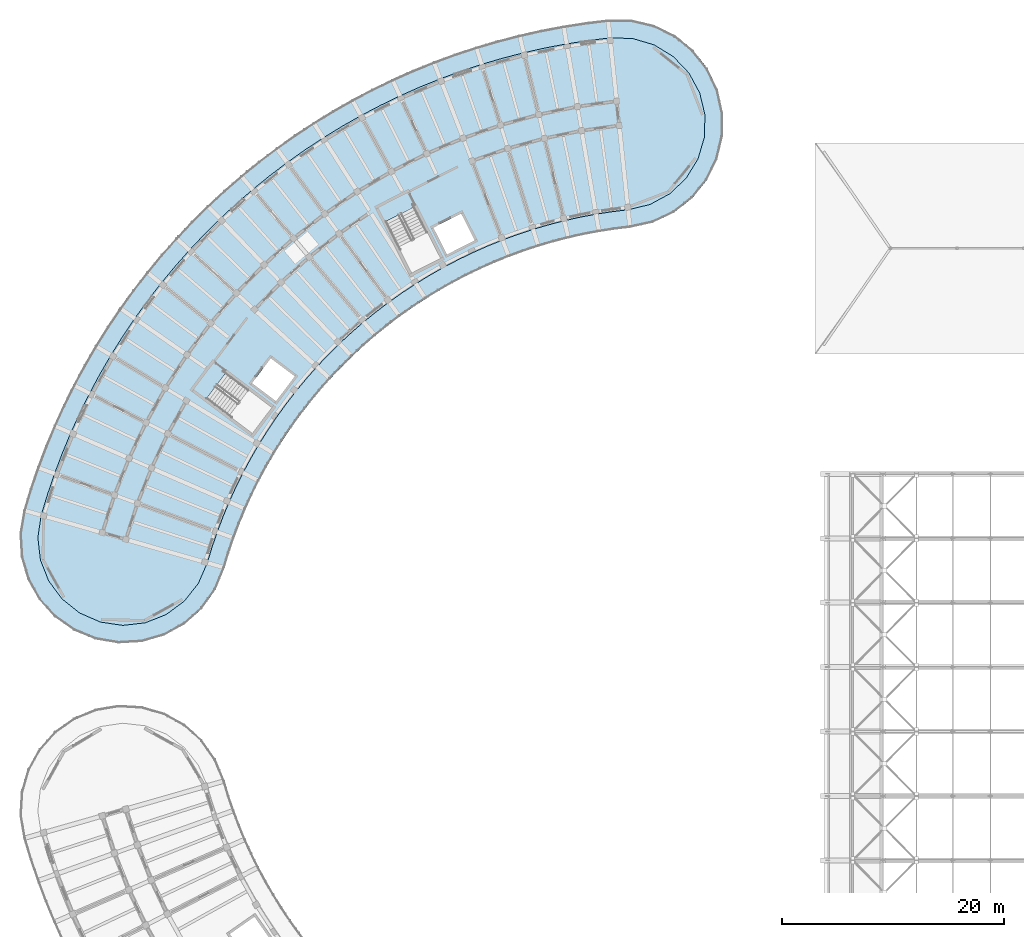
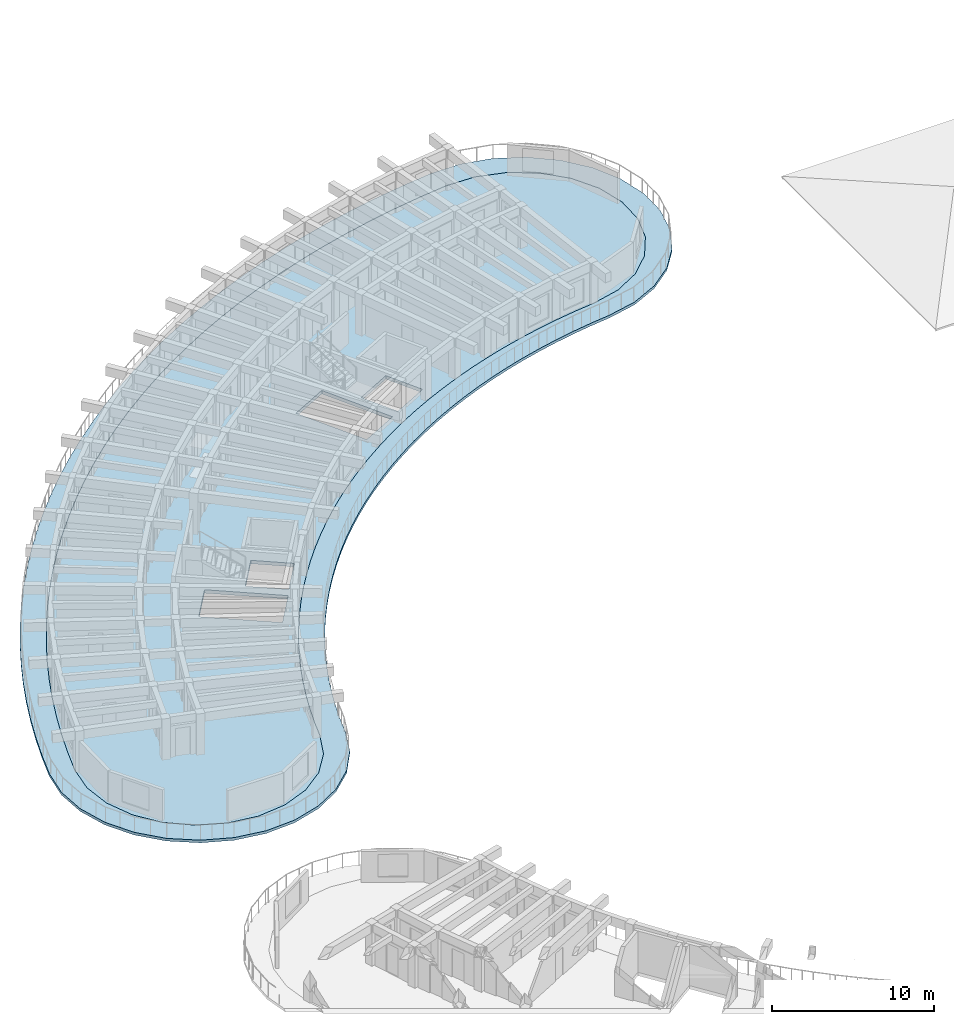
# One storey, part 27 of 81: 2 slabs.
"""IFC4 building model written with IfcOpenShell, lengths in metres."""

from ifc_helpers import new_model, si_unit, direction, frame, origin, place, context, subcontext, project, spatial, polyline, outline, extrude, material, layer, layer_set, type_object, element, save


model = new_model("IFC4")

# Units and contexts
model_context = context("Model", 3, precision=1e-05, world=origin(), true_north=direction((0.0, 1.0)))
body_context = subcontext(model_context, "Body", "Model", "MODEL_VIEW")
ifc_project = project(units=[si_unit("LENGTHUNIT", "METRE"), si_unit("AREAUNIT", "SQUARE_METRE"), si_unit("VOLUMEUNIT", "CUBIC_METRE"), si_unit("PLANEANGLEUNIT", "RADIAN"), si_unit("MASSUNIT", "GRAM", prefix="KILO")], contexts=[model_context])

# Site, building, storey
site_placement = place(None, origin())
site = spatial("IfcSite", under=ifc_project, at=site_placement, CompositionType="ELEMENT")
building_placement = place(site_placement, origin())
building = spatial("IfcBuilding", under=site, at=building_placement, Name="Tanwirah Colonnade Gardens", CompositionType="ELEMENT")
storey_placement = place(building_placement, frame((0.0, 0.0, 8.840087890625)))
storey = spatial("IfcBuildingStorey", under=building, at=storey_placement, Name="L02", CompositionType="ELEMENT", Elevation=8.840087890625)

# Slabs
ifc_material_1 = material(Name="White architectural precast concrete C40/50", Category="concrete")
ifc_layer_1 = layer(ifc_material_1, 0.199951171875)
ifc_layer_set_1 = layer_set([ifc_layer_1], Name="White architectural precast concrete C40/50")
slab_type_1 = type_object("IfcSlabType", Name="SL-BAL-200", PredefinedType="FLOOR", material=ifc_layer_set_1)
slab_1_placement = place(storey_placement, frame((0.0, 0.0, -0.2001953125)))
element("IfcSlab", 1, at=slab_1_placement, inside=storey, type_object=slab_type_1, Name="Block A L02 Continuous White Balcony Ribbon", PredefinedType="FLOOR", context=body_context, shape_type="SweptSolid", body=[
    extrude(outline(polyline([(62.602783203125, 103.019775390625), (64.505859375, 103.918701171875), (66.161376953125, 105.21875), (67.486083984375, 106.854736328125), (68.41357421875, 108.744140625), (68.897216796875, 110.792724609375), (68.9130859375, 112.897705078125), (68.4599609375, 114.953369140625), (67.560791015625, 116.8564453125), (66.2607421875, 118.511962890625), (64.625, 119.836669921875), (62.7353515625, 120.76416015625), (60.686767578125, 121.247802734375), (58.58203125, 121.263671875), (56.57275390625, 121.018798828125), (54.572509765625, 120.7080078125), (52.583740234375, 120.33154296875), (50.608642578125, 119.8896484375), (48.64892578125, 119.3828125), (46.70703125, 118.811767578125), (44.78515625, 118.1767578125), (42.885009765625, 117.47900390625), (41.009033203125, 116.718994140625), (39.1591796875, 115.8974609375), (37.33740234375, 115.015380859375), (35.545654296875, 114.073974609375), (33.785888671875, 113.07373046875), (32.06005859375, 112.01611328125), (30.3701171875, 110.90234375), (28.717529296875, 109.7333984375), (27.104736328125, 108.510498046875), (25.532958984375, 107.235107421875), (24.00390625, 105.90869140625), (22.51953125, 104.532470703125), (21.08154296875, 103.108154296875), (19.69091796875, 101.63720703125), (18.349853515625, 100.121337890625), (17.059326171875, 98.56201171875), (15.82080078125, 96.9609375), (14.6357421875, 95.320068359375), (13.505615234375, 93.640869140625), (12.431396484375, 91.92529296875), (11.414306640625, 90.17529296875), (10.455322265625, 88.392822265625), (9.5556640625, 86.57958984375), (8.71630859375, 84.73779296875), (7.93798828125, 82.869140625), (7.221923828125, 80.97607421875), (6.568359375, 79.060302734375), (5.978515625, 77.1240234375), (5.62841796875, 75.048583984375), (5.749267578125, 72.947021484375), (6.33447265625, 70.925048828125), (7.35498046875, 69.083984375), (8.759521484375, 67.516357421875), (10.477783203125, 66.30029296875), (12.42333984375, 65.497314453125), (14.4990234375, 65.147216796875), (16.6005859375, 65.267822265625), (18.62255859375, 65.853271484375), (20.46337890625, 66.873779296875), (22.03125, 68.2783203125), (23.2470703125, 69.996337890625), (24.05029296875, 71.942138671875), (24.45947265625, 73.28564453125), (24.912841796875, 74.61474609375), (25.409912109375, 75.92822265625), (25.94970703125, 77.224609375), (26.531982421875, 78.50244140625), (27.15625, 79.760498046875), (27.821533203125, 80.997314453125), (28.52734375, 82.21142578125), (29.272705078125, 83.401611328125), (30.056884765625, 84.566650390625), (30.87890625, 85.705078125), (31.73828125, 86.81591796875), (32.633544921875, 87.89794921875), (33.564208984375, 88.94970703125), (34.52880859375, 89.97021484375), (35.526611328125, 90.95849609375), (36.556396484375, 91.9130859375), (37.6171875, 92.83349609375), (38.707763671875, 93.71826171875), (39.826904296875, 94.566650390625), (40.973388671875, 95.3779296875), (42.14599609375, 96.150634765625), (43.34326171875, 96.884521484375), (44.564208984375, 97.578369140625), (45.807373046875, 98.231689453125), (47.0712890625, 98.843505859375), (48.354736328125, 99.41357421875), (49.656494140625, 99.94091796875), (50.974609375, 100.425048828125), (52.30810546875, 100.865478515625), (53.655517578125, 101.26171875), (55.01513671875, 101.61328125), (56.385498046875, 101.919921875), (57.765380859375, 102.18115234375), (59.153076171875, 102.396728515625), (60.547119140625, 102.566650390625), (62.602783203125, 103.019775390625)]), holes=[polyline([(62.3525390625, 104.652099609375), (60.376220703125, 104.177490234375), (58.930908203125, 104.00146484375), (58.930419921875, 104.00146484375), (57.490478515625, 103.777587890625), (57.489990234375, 103.777587890625), (56.058349609375, 103.506591796875), (56.0576171875, 103.50634765625), (54.6357421875, 103.188232421875), (54.635009765625, 103.18798828125), (53.224365234375, 102.8232421875), (53.2236328125, 102.822998046875), (51.825927734375, 102.411865234375), (51.8251953125, 102.411865234375), (50.441650390625, 101.954833984375), (50.44091796875, 101.95458984375), (49.0732421875, 101.4521484375), (49.07275390625, 101.451904296875), (47.72216796875, 100.90478515625), (47.7216796875, 100.904541015625), (46.389892578125, 100.313232421875), (46.38916015625, 100.31298828125), (45.077880859375, 99.677978515625), (45.0771484375, 99.677734375), (43.787353515625, 99.0), (43.786865234375, 98.99951171875), (42.52001953125, 98.279541015625), (42.51953125, 98.279296875), (41.277099609375, 97.51806640625), (41.276611328125, 97.517578125), (40.059814453125, 96.7158203125), (40.059326171875, 96.71533203125), (38.869873046875, 95.873779296875), (38.869384765625, 95.87353515625), (37.708251953125, 94.9931640625), (37.707763671875, 94.99267578125), (36.576171875, 94.07470703125), (36.57568359375, 94.07421875), (35.47509765625, 93.119384765625), (35.474609375, 93.118896484375), (34.406005859375, 92.12841796875), (34.405517578125, 92.1279296875), (33.370361328125, 91.1025390625), (33.369873046875, 91.10205078125), (32.368896484375, 90.043212890625), (32.368408203125, 90.042724609375), (31.40283203125, 88.951416015625), (31.402587890625, 88.950927734375), (30.473388671875, 87.828369140625), (30.47314453125, 87.827880859375), (29.58154296875, 86.67529296875), (29.581298828125, 86.6748046875), (28.728271484375, 85.493408203125), (28.727783203125, 85.492919921875), (27.9140625, 84.2841796875), (27.913818359375, 84.28369140625), (27.140380859375, 83.048828125), (27.14013671875, 83.048095703125), (26.407958984375, 81.788330078125), (26.40771484375, 81.787841796875), (25.71728515625, 80.504638671875), (25.717041015625, 80.504150390625), (25.0693359375, 79.19873046875), (25.069091796875, 79.1982421875), (24.46484375, 77.872314453125), (24.464599609375, 77.87158203125), (23.904296875, 76.526611328125), (23.904052734375, 76.52587890625), (23.388671875, 75.1630859375), (23.388427734375, 75.16259765625), (22.91796875, 73.783447265625), (22.917724609375, 73.78271484375), (22.493408203125, 72.39013671875), (21.68310546875, 70.526123046875), (20.418701171875, 68.936767578125), (18.7861328125, 67.728759765625), (16.896484375, 66.984375), (14.878662109375, 66.75439453125), (12.869873046875, 67.0546875), (11.007568359375, 67.864501953125), (9.41796875, 69.12890625), (8.2099609375, 70.761474609375), (7.465576171875, 72.651123046875), (7.23583984375, 74.6689453125), (7.5361328125, 76.6787109375), (8.110107421875, 78.562744140625), (8.746337890625, 80.427978515625), (9.443603515625, 82.271240234375), (10.201171875, 84.09033203125), (11.0185546875, 85.883544921875), (11.89453125, 87.64892578125), (12.828125, 89.384521484375), (13.818359375, 91.08837890625), (14.8642578125, 92.758544921875), (15.964599609375, 94.393310546875), (17.118408203125, 95.990966796875), (18.32421875, 97.5498046875), (19.58056640625, 99.068115234375), (20.886474609375, 100.5439453125), (22.240234375, 101.97607421875), (23.640380859375, 103.36279296875), (25.085693359375, 104.70263671875), (26.57421875, 105.994140625), (28.1044921875, 107.23583984375), (29.6748046875, 108.42626953125), (31.28369140625, 109.564453125), (32.92919921875, 110.649169921875), (34.609375, 111.6787109375), (36.32275390625, 112.652587890625), (38.067138671875, 113.5693359375), (39.841064453125, 114.427978515625), (41.64208984375, 115.227783203125), (43.468505859375, 115.9677734375), (45.318359375, 116.647216796875), (47.189697265625, 117.26513671875), (49.080322265625, 117.8212890625), (50.98828125, 118.314697265625), (52.911376953125, 118.744873046875), (54.84765625, 119.111572265625), (56.795166015625, 119.414306640625), (58.750244140625, 119.65234375), (60.781494140625, 119.59912109375), (62.728759765625, 119.0224609375), (64.46044921875, 117.961181640625), (65.858642578125, 116.488037109375), (66.82763671875, 114.703125), (67.3017578125, 112.728271484375), (67.24853515625, 110.697998046875), (66.671630859375, 108.750732421875), (65.610595703125, 107.01904296875), (64.137451171875, 105.62109375), (62.3525390625, 104.652099609375)])]), origin(), (0.0, 0.0, 1.0), 0.2001953125),
])
ifc_material_2 = material(Name="Precast concrete C40/50", Category="concrete")
ifc_layer_2 = layer(ifc_material_2, 0.2548828125)
ifc_layer_set_2 = layer_set([ifc_layer_2], Name="Precast concrete C40/50")
slab_type_2 = type_object("IfcSlabType", Name="SL-RES-255", PredefinedType="FLOOR", material=ifc_layer_set_2)
slab_2_placement = place(storey_placement, frame((0.0, 0.0, -0.255126953125)))
element("IfcSlab", 2, at=slab_2_placement, inside=storey, type_object=slab_type_2, Name="Block A L02 Precast Composite Floor Slab", PredefinedType="FLOOR", context=body_context, shape_type="SweptSolid", body=[
    extrude(outline(polyline([(57.49365234375, 103.758056640625), (58.933349609375, 103.981689453125), (60.3798828125, 104.157958984375), (62.35986328125, 104.63330078125), (64.149169921875, 105.604736328125), (65.626220703125, 107.00634765625), (66.690185546875, 108.74267578125), (67.2685546875, 110.695068359375), (67.32177734375, 112.73046875), (66.846435546875, 114.71044921875), (65.874755859375, 116.499755859375), (64.47314453125, 117.976806640625), (62.737060546875, 119.040771484375), (60.78466796875, 119.619140625), (58.749267578125, 119.67236328125), (56.792236328125, 119.43408203125), (54.84423828125, 119.13134765625), (52.907470703125, 118.7646484375), (50.983642578125, 118.334228515625), (49.074951171875, 117.840576171875), (47.183837890625, 117.284423828125), (45.311767578125, 116.666015625), (43.46142578125, 115.986328125), (41.63427734375, 115.24609375), (39.83251953125, 114.446044921875), (38.05810546875, 113.587158203125), (36.313232421875, 112.669921875), (34.599365234375, 111.696044921875), (32.91845703125, 110.666015625), (31.2724609375, 109.5810546875), (29.6630859375, 108.442626953125), (28.092041015625, 107.25146484375), (26.561279296875, 106.009521484375), (25.072265625, 104.717529296875), (23.62646484375, 103.377197265625), (22.225830078125, 101.990234375), (20.87158203125, 100.5576171875), (19.5654296875, 99.0810546875), (18.30859375, 97.562255859375), (17.102294921875, 96.0029296875), (15.9482421875, 94.40478515625), (14.847412109375, 92.76953125), (13.80126953125, 91.0986328125), (12.810546875, 89.394287109375), (11.876708984375, 87.658203125), (11.00048828125, 85.892333984375), (10.182861328125, 84.098388671875), (9.425048828125, 82.278564453125), (8.7275390625, 80.434814453125), (8.091064453125, 78.56884765625), (7.5166015625, 76.68310546875), (7.215576171875, 74.669189453125), (7.446044921875, 72.646240234375), (8.1923828125, 70.751708984375), (9.403564453125, 69.11474609375), (10.9970703125, 67.84716796875), (12.864501953125, 67.035400390625), (14.878173828125, 66.734375), (16.9013671875, 66.96484375), (18.7958984375, 67.711181640625), (20.4326171875, 68.92236328125), (21.7001953125, 70.515869140625), (22.51220703125, 72.383056640625), (22.93701171875, 73.777099609375), (23.4072265625, 75.156005859375), (23.9228515625, 76.518798828125), (24.483154296875, 77.864013671875), (25.08740234375, 79.18994140625), (25.73486328125, 80.4951171875), (26.42529296875, 81.7783203125), (27.157470703125, 83.0380859375), (27.9306640625, 84.27294921875), (28.744384765625, 85.48193359375), (29.597412109375, 86.6630859375), (30.489013671875, 87.815673828125), (31.41796875, 88.938232421875), (32.38330078125, 90.029541015625), (33.38427734375, 91.08837890625), (34.419677734375, 92.11376953125), (35.48828125, 93.104248046875), (36.5888671875, 94.05908203125), (37.72021484375, 94.977294921875), (38.88134765625, 95.857421875), (40.07080078125, 96.698974609375), (41.28759765625, 97.5009765625), (42.52978515625, 98.26220703125), (43.796630859375, 98.982177734375), (45.08642578125, 99.659912109375), (46.39794921875, 100.294921875), (47.729736328125, 100.88623046875), (49.080078125, 101.433349609375), (50.447998046875, 101.935791015625), (51.83154296875, 102.392822265625), (53.229248046875, 102.803955078125), (54.64013671875, 103.168701171875), (56.06201171875, 103.48681640625), (57.49365234375, 103.758056640625)]), holes=[polyline([(41.13427734375, 104.433349609375), (43.49365234375, 99.802734375), (40.897216796875, 98.479736328125), (38.537841796875, 103.1103515625), (41.13427734375, 104.433349609375)]), polyline([(46.574462890625, 101.428466796875), (44.07958984375, 100.157470703125), (42.853759765625, 102.563232421875), (45.3486328125, 103.834228515625), (46.574462890625, 101.428466796875)]), polyline([(26.555908203125, 84.039794921875), (22.4052734375, 87.16748046875), (24.158935546875, 89.49462890625), (28.3095703125, 86.366943359375), (26.555908203125, 84.039794921875)]), polyline([(26.5244140625, 88.5673828125), (28.20947265625, 90.8037109375), (30.36572265625, 89.1787109375), (28.6806640625, 86.942626953125), (26.5244140625, 88.5673828125)])]), origin(), (0.0, 0.0, 1.0), 0.255126953125),
])

save(model, "model.ifc")
